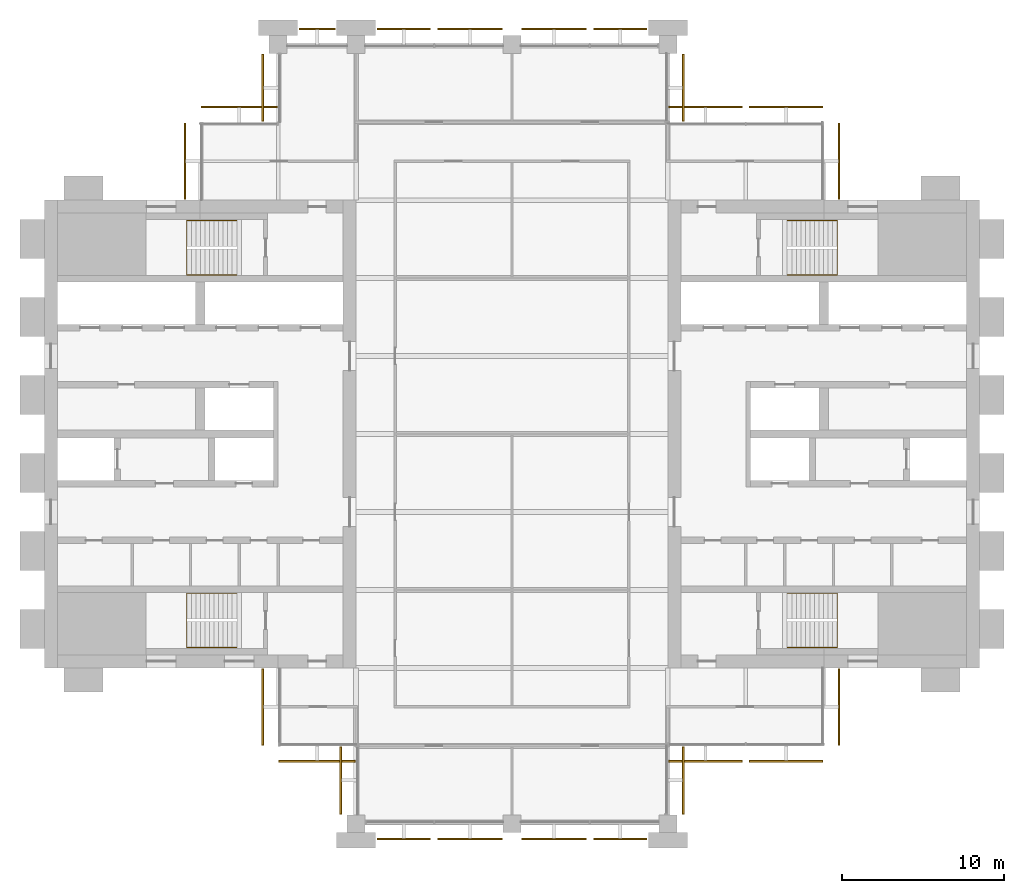
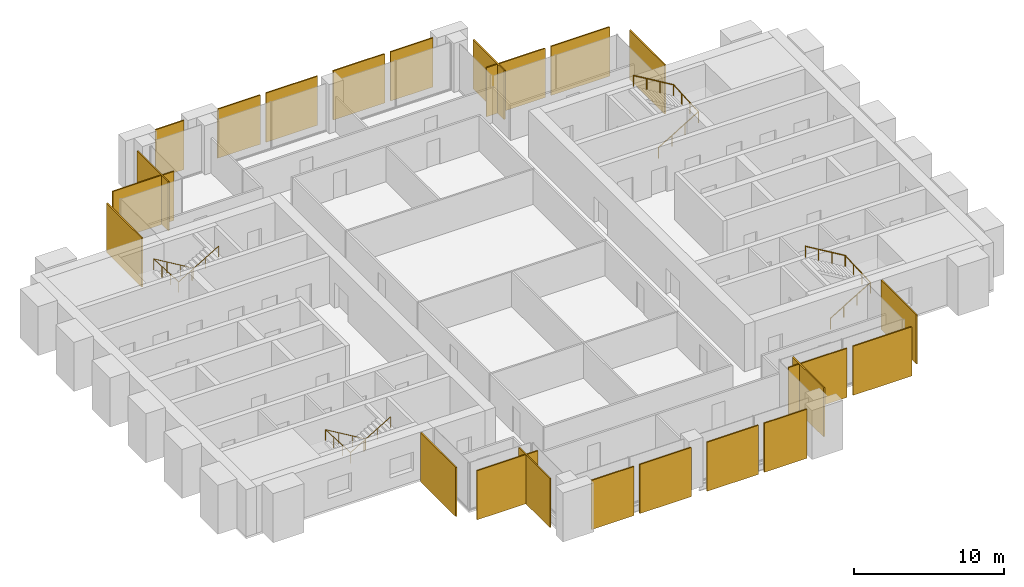
# One storey, part 13 of 13: 23 coverings, 4 railings.
"""IFC4 building model written with IfcOpenShell, lengths in metres."""

import ifcopenshell
import ifcopenshell.guid

model = None  # the IFC model being written
_history = None  # IfcOwnerHistory: only IFC2X3 demands one
_inside = {}  # id of a spatial element -> (the spatial element, [elements in it])
_under = {}  # id of a project, library or spatial element -> (it, [spatial elements below it])
_declared = {}  # id of a project -> (the project, [libraries it declares])
_typed = {}  # id of a type object -> (the type object, [elements of that type])
_made_of = {}  # id of a material, layer set ... -> (it, [elements and type objects made of it])


def new_model(schema):
    """Start an empty IFC model of exactly this schema.

    Asked for "IFC4X3", IfcOpenShell would pick the latest addendum, in which some entities
    have other attributes; the version numbers below select the first issue.
    IFC2X3 requires an IfcOwnerHistory on every rooted entity: one is made here for all.
    """
    global model, _history
    if schema == "IFC4X3":
        model = ifcopenshell.file(schema_version=(4, 3, 0, 0))
    else:
        model = ifcopenshell.file(schema=schema)
    _inside.clear()
    _under.clear()
    _declared.clear()
    _typed.clear()
    _made_of.clear()
    _history = None
    if model.schema == "IFC2X3":
        org = make("IfcOrganization", Name="unknown")
        user = make(
            "IfcPersonAndOrganization",
            ThePerson=make("IfcPerson", FamilyName="unknown"),
            TheOrganization=org,
        )
        app = make(
            "IfcApplication",
            ApplicationDeveloper=org,
            Version="unknown",
            ApplicationFullName="unknown",
            ApplicationIdentifier="unknown",
        )
        _history = make(
            "IfcOwnerHistory",
            OwningUser=user,
            OwningApplication=app,
            ChangeAction="ADDED",
            CreationDate=0,
        )
    return model


def make(cls, **values):
    """One entity of the class cls with the attributes given. An attribute that is None is left unset."""
    return model.create_entity(
        cls, **{name: value for name, value in values.items() if value is not None}
    )


def rooted(cls, **values):
    """An entity with a GlobalId (a new one), such as an element, a storey or a relation."""
    return make(cls, GlobalId=ifcopenshell.guid.new(), OwnerHistory=_history, **values)


def si_unit(unit_type, name, prefix=None):
    """IfcSIUnit, for example si_unit("LENGTHUNIT", "METRE", prefix="MILLI")."""
    return make("IfcSIUnit", UnitType=unit_type, Prefix=prefix, Name=name)


def assignment(units):
    """IfcUnitAssignment: the units of a project."""
    return None if units is None else make("IfcUnitAssignment", Units=units)


def point(xyz):
    """IfcCartesianPoint."""
    return None if xyz is None else make("IfcCartesianPoint", Coordinates=xyz)


def direction(xyz):
    """IfcDirection."""
    return None if xyz is None else make("IfcDirection", DirectionRatios=xyz)


def frame(location, z_axis=None, x_axis=None):
    """IfcAxis2Placement3D, a coordinate frame: its origin and axes. An axis left out is left unset."""
    return make(
        "IfcAxis2Placement3D",
        Location=point(location),
        Axis=direction(z_axis),
        RefDirection=direction(x_axis),
    )


def frame_2d(location, x_axis=None):
    """IfcAxis2Placement2D, a coordinate frame in the plane: its origin and x axis."""
    return make(
        "IfcAxis2Placement2D", Location=point(location), RefDirection=direction(x_axis)
    )


def origin():
    """The frame at (0, 0, 0) with its axes left unset."""
    return frame((0.0, 0.0, 0.0))


def origin_2d():
    """The frame at (0, 0) in the plane with its x axis left unset."""
    return frame_2d((0.0, 0.0))


def place(relative_to, where):
    """IfcLocalPlacement: puts the frame where relative to a parent placement (None: the world)."""
    return make(
        "IfcLocalPlacement", PlacementRelTo=relative_to, RelativePlacement=where
    )


def context(
    kind, dimensions, precision=None, world=None, true_north=None, identifier=None
):
    """IfcGeometricRepresentationContext, for example the 3D "Model" context."""
    return make(
        "IfcGeometricRepresentationContext",
        ContextIdentifier=identifier,
        ContextType=kind,
        CoordinateSpaceDimension=dimensions,
        Precision=precision,
        WorldCoordinateSystem=world,
        TrueNorth=true_north,
    )


def subcontext(parent, identifier, kind, view, scale=None):
    """IfcGeometricRepresentationSubContext, for example "Body" below "Model"."""
    return make(
        "IfcGeometricRepresentationSubContext",
        ContextIdentifier=identifier,
        ContextType=kind,
        ParentContext=parent,
        TargetScale=scale,
        TargetView=view,
    )


def project(units=None, contexts=None):
    """IfcProject with its units and contexts."""
    return rooted(
        "IfcProject",
        Name="project",
        RepresentationContexts=contexts,
        UnitsInContext=assignment(units),
    )


def spatial(cls, under=None, at=None, **own):
    """A site, building, storey or space (cls), placed at a placement, below another one or the project."""
    s = rooted(cls, ObjectPlacement=at, **own)
    if under is not None:
        _under.setdefault(under.id(), (under, []))[1].append(s)
    return s


def polyline(points):
    """IfcPolyline through the points."""
    return make("IfcPolyline", Points=[point(p) for p in points])


def profile(cls, at=None, kind="AREA", **sizes):
    """A parametric profile (cls). Its sizes go by their IFC names, for example OverallWidth=200.0."""
    return make(cls, ProfileType=kind, Position=at, **sizes)


def circle(**sizes):
    """IfcCircleProfileDef."""
    return profile("IfcCircleProfileDef", **sizes)


def outline(outer, holes=None, kind="AREA"):
    """IfcArbitraryClosedProfileDef: a profile drawn as a closed curve; with holes, ...WithVoids."""
    if holes is None:
        return make("IfcArbitraryClosedProfileDef", ProfileType=kind, OuterCurve=outer)
    return make(
        "IfcArbitraryProfileDefWithVoids",
        ProfileType=kind,
        OuterCurve=outer,
        InnerCurves=holes,
    )


def extrude(swept, where, along, depth):
    """IfcExtrudedAreaSolid: the profile swept, set in the frame where, extruded along a direction by depth."""
    return make(
        "IfcExtrudedAreaSolid",
        SweptArea=swept,
        Position=where,
        ExtrudedDirection=direction(along),
        Depth=depth,
    )


def shape(context_of_items, identifier, shape_type, items):
    """IfcShapeRepresentation: the items that make up one representation, for example the "Body"."""
    return make(
        "IfcShapeRepresentation",
        ContextOfItems=context_of_items,
        RepresentationIdentifier=identifier,
        RepresentationType=shape_type,
        Items=items,
    )


def material(Name=None, Category=None):
    """IfcMaterial."""
    return make("IfcMaterial", Name=Name, Category=Category)


def layer(
    of_material, thickness, ventilated=None, Name=None, Category=None, Priority=None
):
    """IfcMaterialLayer: one layer of a wall or slab, of a material (None: an air gap)."""
    return make(
        "IfcMaterialLayer",
        Material=of_material,
        LayerThickness=thickness,
        IsVentilated=ventilated,
        Name=Name,
        Category=Category,
        Priority=Priority,
    )


def layer_set(layers, Name=None):
    """IfcMaterialLayerSet."""
    return make("IfcMaterialLayerSet", MaterialLayers=layers, LayerSetName=Name)


def made_of(thing, what):
    """Note that an element or type object is made of a material, layer set ...; save() writes the relation."""
    if what is not None:
        _made_of.setdefault(what.id(), (what, []))[1].append(thing)
    return thing


def type_object(cls, material=None, **own):
    """A type object (cls), such as IfcWallType, which elements share."""
    return made_of(rooted(cls, **own), material)


def element(
    cls,
    number,
    at=None,
    inside=None,
    cuts=None,
    type_object=None,
    material=None,
    context=None,
    identifier="Body",
    shape_type=None,
    held_by="IfcProductDefinitionShape",
    body=None,
    shapes=None,
    **own,
):
    """One element of the class cls, such as IfcWall. Its Tag is "e" and its number.

    at: its placement. inside: the storey or other place that contains it. cuts: it is an
    opening in that element (IfcRelVoidsElement). A single representation is given by context,
    identifier, shape_type and body (its items); several are given by shapes. held_by: the class
    of the entity that holds the representations. save() writes the other relations.
    """
    e = rooted(cls, Tag="e%d" % number, ObjectPlacement=at, **own)
    if body is not None:
        shapes = [shape(context, identifier, shape_type, body)]
    if shapes is not None:
        e.Representation = make(held_by, Representations=shapes)
    if inside is not None:
        _inside.setdefault(inside.id(), (inside, []))[1].append(e)
    if cuts is not None:
        rooted(
            "IfcRelVoidsElement", RelatingBuildingElement=cuts, RelatedOpeningElement=e
        )
    if type_object is not None:
        _typed.setdefault(type_object.id(), (type_object, []))[1].append(e)
    return made_of(e, material)


def aggregate(whole, parts):
    """IfcRelAggregates: a whole, such as a stair, and the parts it consists of."""
    return rooted("IfcRelAggregates", RelatingObject=whole, RelatedObjects=parts)


def save(model, path):
    """Write the relations noted so far, then the file.

    IfcRelAggregates (storeys below a building ...), IfcRelContainedInSpatialStructure (elements
    in a storey), IfcRelDefinesByType, IfcRelAssociatesMaterial and IfcRelDeclares: one each for
    every whole, place, type object, material and project.
    """
    for whole, parts in _under.values():
        aggregate(whole, parts)
    for where, things in _inside.values():
        rooted(
            "IfcRelContainedInSpatialStructure",
            RelatedElements=things,
            RelatingStructure=where,
        )
    for kind, things in _typed.values():
        rooted("IfcRelDefinesByType", RelatedObjects=things, RelatingType=kind)
    for what, things in _made_of.values():
        rooted("IfcRelAssociatesMaterial", RelatedObjects=things, RelatingMaterial=what)
    for by, libraries in _declared.values():
        rooted("IfcRelDeclares", RelatingContext=by, RelatedDefinitions=libraries)
    model.write(path)


model = new_model("IFC4")

# Units and contexts
model_context = context("Model", 3, precision=1e-05, world=origin(), true_north=direction((0.0, 1.0)))
body_context = subcontext(model_context, "Body", "Model", "MODEL_VIEW")
ifc_project = project(units=[si_unit("LENGTHUNIT", "METRE"), si_unit("AREAUNIT", "SQUARE_METRE"), si_unit("VOLUMEUNIT", "CUBIC_METRE"), si_unit("PLANEANGLEUNIT", "RADIAN"), si_unit("MASSUNIT", "GRAM", prefix="KILO")], contexts=[model_context])

# Site, building, storey
site_placement = place(None, origin())
site = spatial("IfcSite", under=ifc_project, at=site_placement, CompositionType="ELEMENT")
building_placement = place(site_placement, origin())
building = spatial("IfcBuilding", under=site, at=building_placement, Name="Baori Bourse Tower", CompositionType="ELEMENT")
storey_placement = place(building_placement, frame((0.0, 0.0, 217.199951171875)))
storey = spatial("IfcBuildingStorey", under=building, at=storey_placement, Name="L47", CompositionType="ELEMENT", Elevation=217.199951171875)

# Railings
ifc_material_1 = material(Name="Powder-coated steel balustrade", Category="steel")
railing_type = type_object("IfcRailingType", Name="Core stair handrail", PredefinedType="HANDRAIL", material=ifc_material_1)
railing_1_placement = place(storey_placement, frame((11.85009765625, 14.199951171875, 0.166748046875)))
element("IfcRailing", 1, at=railing_1_placement, inside=storey, type_object=railing_type, Name="L47 ST1 stair handrail 1", PredefinedType="HANDRAIL", context=body_context, shape_type="SweptSolid", body=[
    extrude(circle(Radius=0.02392578125, at=origin_2d()), frame((0.0, 0.0, 0.8759765625), z_axis=(-0.859308565015, 0.0, 0.511457515432), x_axis=(0.0, -1.0, 0.0)), (0.0, 0.0, 1.0), 3.58447265625),
    extrude(circle(Radius=0.02392578125, at=origin_2d()), frame((-3.080078125, 0.0, 2.708984375), z_axis=(0.0, -0.998763387249, 0.04971615724), x_axis=(1.0, 0.0, 0.0)), (0.0, 0.0, 1.0), 3.35400390625),
    extrude(circle(Radius=0.02392578125, at=origin_2d()), frame((-3.080078125, -3.349853515625, 2.8759765625), z_axis=(0.859308565015, 0.0, 0.511457515432), x_axis=(0.0, 1.0, 0.0)), (0.0, 0.0, 1.0), 3.58447265625),
    extrude(circle(Radius=0.02099609375, at=origin_2d()), origin(), (0.0, 0.0, 1.0), 0.851806640625),
    extrude(circle(Radius=0.02099609375, at=origin_2d()), frame((-1.026611328125, 0.0, 0.611083984375)), (0.0, 0.0, 1.0), 0.851806640625),
    extrude(circle(Radius=0.02099609375, at=origin_2d()), frame((-2.053466796875, 0.0, 1.22216796875)), (0.0, 0.0, 1.0), 0.851806640625),
    extrude(circle(Radius=0.02099609375, at=origin_2d()), frame((-3.080078125, 0.0, 1.833251953125)), (0.0, 0.0, 1.0), 0.851806640625),
    extrude(circle(Radius=0.02099609375, at=origin_2d()), frame((-3.080078125, -1.11669921875, 1.888916015625)), (0.0, 0.0, 1.0), 0.851806640625),
    extrude(circle(Radius=0.02099609375, at=origin_2d()), frame((-3.080078125, -2.233154296875, 1.9443359375)), (0.0, 0.0, 1.0), 0.851806640625),
    extrude(circle(Radius=0.02099609375, at=origin_2d()), frame((-3.080078125, -3.349853515625, 2.0)), (0.0, 0.0, 1.0), 0.851806640625),
    extrude(circle(Radius=0.02099609375, at=origin_2d()), frame((-2.053466796875, -3.349853515625, 2.611083984375)), (0.0, 0.0, 1.0), 0.851806640625),
    extrude(circle(Radius=0.02099609375, at=origin_2d()), frame((-1.026611328125, -3.349853515625, 3.22216796875)), (0.0, 0.0, 1.0), 0.851806640625),
    extrude(circle(Radius=0.02099609375, at=origin_2d()), frame((0.0, -3.349853515625, 3.833251953125)), (0.0, 0.0, 1.0), 0.851806640625),
])
railing_2_placement = place(storey_placement, frame((11.85009765625, 37.14990234375, 0.166748046875)))
element("IfcRailing", 2, at=railing_2_placement, inside=storey, type_object=railing_type, Name="L47 ST2 stair handrail 1", PredefinedType="HANDRAIL", context=body_context, shape_type="SweptSolid", body=[
    extrude(circle(Radius=0.02392578125, at=origin_2d()), frame((0.0, 0.0, 0.8759765625), z_axis=(-0.859308565015, 0.0, 0.511457515432), x_axis=(0.0, -1.0, 0.0)), (0.0, 0.0, 1.0), 3.58447265625),
    extrude(circle(Radius=0.02392578125, at=origin_2d()), frame((-3.080078125, 0.0, 2.708984375), z_axis=(0.0, -0.998763387249, 0.04971615724), x_axis=(1.0, 0.0, 0.0)), (0.0, 0.0, 1.0), 3.35400390625),
    extrude(circle(Radius=0.02392578125, at=origin_2d()), frame((-3.080078125, -3.349853515625, 2.8759765625), z_axis=(0.859308565015, 0.0, 0.511457515432), x_axis=(0.0, 1.0, 0.0)), (0.0, 0.0, 1.0), 3.58447265625),
    extrude(circle(Radius=0.02099609375, at=origin_2d()), origin(), (0.0, 0.0, 1.0), 0.851806640625),
    extrude(circle(Radius=0.02099609375, at=origin_2d()), frame((-1.026611328125, 0.0, 0.611083984375)), (0.0, 0.0, 1.0), 0.851806640625),
    extrude(circle(Radius=0.02099609375, at=origin_2d()), frame((-2.053466796875, 0.0, 1.22216796875)), (0.0, 0.0, 1.0), 0.851806640625),
    extrude(circle(Radius=0.02099609375, at=origin_2d()), frame((-3.080078125, 0.0, 1.833251953125)), (0.0, 0.0, 1.0), 0.851806640625),
    extrude(circle(Radius=0.02099609375, at=origin_2d()), frame((-3.080078125, -1.11669921875, 1.888916015625)), (0.0, 0.0, 1.0), 0.851806640625),
    extrude(circle(Radius=0.02099609375, at=origin_2d()), frame((-3.080078125, -2.233154296875, 1.9443359375)), (0.0, 0.0, 1.0), 0.851806640625),
    extrude(circle(Radius=0.02099609375, at=origin_2d()), frame((-3.080078125, -3.349853515625, 2.0)), (0.0, 0.0, 1.0), 0.851806640625),
    extrude(circle(Radius=0.02099609375, at=origin_2d()), frame((-2.053466796875, -3.349853515625, 2.611083984375)), (0.0, 0.0, 1.0), 0.851806640625),
    extrude(circle(Radius=0.02099609375, at=origin_2d()), frame((-1.026611328125, -3.349853515625, 3.22216796875)), (0.0, 0.0, 1.0), 0.851806640625),
    extrude(circle(Radius=0.02099609375, at=origin_2d()), frame((0.0, -3.349853515625, 3.833251953125)), (0.0, 0.0, 1.0), 0.851806640625),
])
railing_3_placement = place(storey_placement, frame((45.75, 10.85009765625, 0.166748046875)))
element("IfcRailing", 3, at=railing_3_placement, inside=storey, type_object=railing_type, Name="L47 ST3 stair handrail 1", PredefinedType="HANDRAIL", context=body_context, shape_type="SweptSolid", body=[
    extrude(circle(Radius=0.02392578125, at=origin_2d()), frame((0.0, 0.0, 0.8759765625), z_axis=(0.859308565015, 0.0, 0.511457515432), x_axis=(0.0, 1.0, 0.0)), (0.0, 0.0, 1.0), 3.58447265625),
    extrude(circle(Radius=0.02392578125, at=origin_2d()), frame((3.080078125, 0.0, 2.708984375), z_axis=(0.0, 0.998763387249, 0.04971615724), x_axis=(-1.0, 0.0, 0.0)), (0.0, 0.0, 1.0), 3.35400390625),
    extrude(circle(Radius=0.02392578125, at=origin_2d()), frame((3.080078125, 3.349853515625, 2.8759765625), z_axis=(-0.859308565015, 0.0, 0.511457515432), x_axis=(0.0, -1.0, 0.0)), (0.0, 0.0, 1.0), 3.58447265625),
    extrude(circle(Radius=0.02099609375, at=origin_2d()), origin(), (0.0, 0.0, 1.0), 0.851806640625),
    extrude(circle(Radius=0.02099609375, at=origin_2d()), frame((1.026611328125, 0.0, 0.611083984375)), (0.0, 0.0, 1.0), 0.851806640625),
    extrude(circle(Radius=0.02099609375, at=origin_2d()), frame((2.053466796875, 0.0, 1.22216796875)), (0.0, 0.0, 1.0), 0.851806640625),
    extrude(circle(Radius=0.02099609375, at=origin_2d()), frame((3.080078125, 0.0, 1.833251953125)), (0.0, 0.0, 1.0), 0.851806640625),
    extrude(circle(Radius=0.02099609375, at=origin_2d()), frame((3.080078125, 1.11669921875, 1.888916015625)), (0.0, 0.0, 1.0), 0.851806640625),
    extrude(circle(Radius=0.02099609375, at=origin_2d()), frame((3.080078125, 2.233154296875, 1.9443359375)), (0.0, 0.0, 1.0), 0.851806640625),
    extrude(circle(Radius=0.02099609375, at=origin_2d()), frame((3.080078125, 3.349853515625, 2.0)), (0.0, 0.0, 1.0), 0.851806640625),
    extrude(circle(Radius=0.02099609375, at=origin_2d()), frame((2.053466796875, 3.349853515625, 2.611083984375)), (0.0, 0.0, 1.0), 0.851806640625),
    extrude(circle(Radius=0.02099609375, at=origin_2d()), frame((1.026611328125, 3.349853515625, 3.22216796875)), (0.0, 0.0, 1.0), 0.851806640625),
    extrude(circle(Radius=0.02099609375, at=origin_2d()), frame((0.0, 3.349853515625, 3.833251953125)), (0.0, 0.0, 1.0), 0.851806640625),
])
railing_4_placement = place(storey_placement, frame((45.75, 33.800048828125, 0.166748046875)))
element("IfcRailing", 4, at=railing_4_placement, inside=storey, type_object=railing_type, Name="L47 ST4 stair handrail 1", PredefinedType="HANDRAIL", context=body_context, shape_type="SweptSolid", body=[
    extrude(circle(Radius=0.02392578125, at=origin_2d()), frame((0.0, 0.0, 0.8759765625), z_axis=(0.859308565015, 0.0, 0.511457515432), x_axis=(0.0, 1.0, 0.0)), (0.0, 0.0, 1.0), 3.58447265625),
    extrude(circle(Radius=0.02392578125, at=origin_2d()), frame((3.080078125, 0.0, 2.708984375), z_axis=(0.0, 0.998763387249, 0.04971615724), x_axis=(-1.0, 0.0, 0.0)), (0.0, 0.0, 1.0), 3.35400390625),
    extrude(circle(Radius=0.02392578125, at=origin_2d()), frame((3.080078125, 3.349853515625, 2.8759765625), z_axis=(-0.859308565015, 0.0, 0.511457515432), x_axis=(0.0, -1.0, 0.0)), (0.0, 0.0, 1.0), 3.58447265625),
    extrude(circle(Radius=0.02099609375, at=origin_2d()), origin(), (0.0, 0.0, 1.0), 0.851806640625),
    extrude(circle(Radius=0.02099609375, at=origin_2d()), frame((1.026611328125, 0.0, 0.611083984375)), (0.0, 0.0, 1.0), 0.851806640625),
    extrude(circle(Radius=0.02099609375, at=origin_2d()), frame((2.053466796875, 0.0, 1.22216796875)), (0.0, 0.0, 1.0), 0.851806640625),
    extrude(circle(Radius=0.02099609375, at=origin_2d()), frame((3.080078125, 0.0, 1.833251953125)), (0.0, 0.0, 1.0), 0.851806640625),
    extrude(circle(Radius=0.02099609375, at=origin_2d()), frame((3.080078125, 1.11669921875, 1.888916015625)), (0.0, 0.0, 1.0), 0.851806640625),
    extrude(circle(Radius=0.02099609375, at=origin_2d()), frame((3.080078125, 2.233154296875, 1.9443359375)), (0.0, 0.0, 1.0), 0.851806640625),
    extrude(circle(Radius=0.02099609375, at=origin_2d()), frame((3.080078125, 3.349853515625, 2.0)), (0.0, 0.0, 1.0), 0.851806640625),
    extrude(circle(Radius=0.02099609375, at=origin_2d()), frame((2.053466796875, 3.349853515625, 2.611083984375)), (0.0, 0.0, 1.0), 0.851806640625),
    extrude(circle(Radius=0.02099609375, at=origin_2d()), frame((1.026611328125, 3.349853515625, 3.22216796875)), (0.0, 0.0, 1.0), 0.851806640625),
    extrude(circle(Radius=0.02099609375, at=origin_2d()), frame((0.0, 3.349853515625, 3.833251953125)), (0.0, 0.0, 1.0), 0.851806640625),
])

# Coverings
ifc_material_2 = material(Name="Pale anodised aluminium", Category="aluminium")
ifc_layer = layer(ifc_material_2, 0.10009765625)
ifc_layer_set = layer_set([ifc_layer], Name="OS3 Outer skin screen panel")
covering_type = type_object("IfcCoveringType", Name="OS3 Outer skin screen panel", PredefinedType="CLADDING", material=ifc_layer_set)
covering_1_placement = place(storey_placement, frame((0.0, 0.0, -0.159912109375)))
element("IfcCovering", 5, at=covering_1_placement, inside=storey, type_object=covering_type, Name="Outer skin screen L47 1", PredefinedType="CLADDING", context=body_context, shape_type="SweptSolid", body=[
    extrude(outline(polyline([(48.89990234375, 43.14990234375), (48.89990234375, 38.449951171875), (49.0, 38.449951171875), (49.0, 43.14990234375), (48.89990234375, 43.14990234375)])), origin(), (0.0, 0.0, 1.0), 4.0),
])
covering_2_placement = place(storey_placement, frame((0.0, 0.0, -0.159912109375)))
element("IfcCovering", 6, at=covering_2_placement, inside=storey, type_object=covering_type, Name="Outer skin screen L47 2", PredefinedType="CLADDING", context=body_context, shape_type="SweptSolid", body=[
    extrude(outline(polyline([(43.425048828125, 44.10009765625), (47.949951171875, 44.10009765625), (47.949951171875, 44.199951171875), (43.425048828125, 44.199951171875), (43.425048828125, 44.10009765625)])), origin(), (0.0, 0.0, 1.0), 4.0),
])
covering_3_placement = place(storey_placement, frame((0.0, 0.0, -0.159912109375)))
element("IfcCovering", 7, at=covering_3_placement, inside=storey, type_object=covering_type, Name="Outer skin screen L47 3", PredefinedType="CLADDING", context=body_context, shape_type="SweptSolid", body=[
    extrude(outline(polyline([(38.449951171875, 44.10009765625), (42.97509765625, 44.10009765625), (42.97509765625, 44.199951171875), (38.449951171875, 44.199951171875), (38.449951171875, 44.10009765625)])), origin(), (0.0, 0.0, 1.0), 4.0),
])
covering_4_placement = place(storey_placement, frame((0.0, 0.0, -0.159912109375)))
element("IfcCovering", 8, at=covering_4_placement, inside=storey, type_object=covering_type, Name="Outer skin screen L47 4", PredefinedType="CLADDING", context=body_context, shape_type="SweptSolid", body=[
    extrude(outline(polyline([(39.300048828125, 47.39990234375), (39.300048828125, 43.25), (39.39990234375, 43.25), (39.39990234375, 47.39990234375), (39.300048828125, 47.39990234375)])), origin(), (0.0, 0.0, 1.0), 4.0),
])
covering_5_placement = place(storey_placement, frame((0.0, 0.0, -0.159912109375)))
element("IfcCovering", 9, at=covering_5_placement, inside=storey, type_object=covering_type, Name="Outer skin screen L47 5", PredefinedType="CLADDING", context=body_context, shape_type="SweptSolid", body=[
    extrude(outline(polyline([(33.824951171875, 48.89990234375), (37.10009765625, 48.89990234375), (37.10009765625, 49.0), (33.824951171875, 49.0), (33.824951171875, 48.89990234375)])), origin(), (0.0, 0.0, 1.0), 4.0),
])
covering_6_placement = place(storey_placement, frame((0.0, 0.0, -0.159912109375)))
element("IfcCovering", 10, at=covering_6_placement, inside=storey, type_object=covering_type, Name="Outer skin screen L47 6", PredefinedType="CLADDING", context=body_context, shape_type="SweptSolid", body=[
    extrude(outline(polyline([(29.39990234375, 48.89990234375), (33.375, 48.89990234375), (33.375, 49.0), (29.39990234375, 49.0), (29.39990234375, 48.89990234375)])), origin(), (0.0, 0.0, 1.0), 4.0),
])
covering_7_placement = place(storey_placement, frame((0.0, 0.0, -0.159912109375)))
element("IfcCovering", 11, at=covering_7_placement, inside=storey, type_object=covering_type, Name="Outer skin screen L47 7", PredefinedType="CLADDING", context=body_context, shape_type="SweptSolid", body=[
    extrude(outline(polyline([(24.22509765625, 48.89990234375), (28.199951171875, 48.89990234375), (28.199951171875, 49.0), (24.22509765625, 49.0), (24.22509765625, 48.89990234375)])), origin(), (0.0, 0.0, 1.0), 4.0),
])
covering_8_placement = place(storey_placement, frame((0.0, 0.0, -0.159912109375)))
element("IfcCovering", 12, at=covering_8_placement, inside=storey, type_object=covering_type, Name="Outer skin screen L47 8", PredefinedType="CLADDING", context=body_context, shape_type="SweptSolid", body=[
    extrude(outline(polyline([(20.5, 48.89990234375), (23.77490234375, 48.89990234375), (23.77490234375, 49.0), (20.5, 49.0), (20.5, 48.89990234375)])), origin(), (0.0, 0.0, 1.0), 4.0),
])
covering_9_placement = place(storey_placement, frame((0.0, 0.0, -0.159912109375)))
element("IfcCovering", 13, at=covering_9_placement, inside=storey, type_object=covering_type, Name="Outer skin screen L47 9", PredefinedType="CLADDING", context=body_context, shape_type="SweptSolid", body=[
    extrude(outline(polyline([(15.699951171875, 48.89990234375), (17.89990234375, 48.89990234375), (17.89990234375, 49.0), (15.699951171875, 49.0), (15.699951171875, 48.89990234375)])), origin(), (0.0, 0.0, 1.0), 4.0),
])
covering_10_placement = place(storey_placement, frame((0.0, 0.0, -0.159912109375)))
element("IfcCovering", 14, at=covering_10_placement, inside=storey, type_object=covering_type, Name="Outer skin screen L47 10", PredefinedType="CLADDING", context=body_context, shape_type="SweptSolid", body=[
    extrude(outline(polyline([(13.5, 43.25), (13.5, 47.39990234375), (13.39990234375, 47.39990234375), (13.39990234375, 43.25), (13.5, 43.25)])), origin(), (0.0, 0.0, 1.0), 4.0),
])
covering_11_placement = place(storey_placement, frame((0.0, 0.0, -0.159912109375)))
element("IfcCovering", 15, at=covering_11_placement, inside=storey, type_object=covering_type, Name="Outer skin screen L47 11", PredefinedType="CLADDING", context=body_context, shape_type="SweptSolid", body=[
    extrude(outline(polyline([(9.64990234375, 44.10009765625), (14.35009765625, 44.10009765625), (14.35009765625, 44.199951171875), (9.64990234375, 44.199951171875), (9.64990234375, 44.10009765625)])), origin(), (0.0, 0.0, 1.0), 4.0),
])
covering_12_placement = place(storey_placement, frame((0.0, 0.0, -0.159912109375)))
element("IfcCovering", 16, at=covering_12_placement, inside=storey, type_object=covering_type, Name="Outer skin screen L47 12", PredefinedType="CLADDING", context=body_context, shape_type="SweptSolid", body=[
    extrude(outline(polyline([(8.699951171875, 38.449951171875), (8.699951171875, 43.14990234375), (8.60009765625, 43.14990234375), (8.60009765625, 38.449951171875), (8.699951171875, 38.449951171875)])), origin(), (0.0, 0.0, 1.0), 4.0),
])
covering_13_placement = place(storey_placement, frame((0.0, 0.0, -0.159912109375)))
element("IfcCovering", 17, at=covering_13_placement, inside=storey, type_object=covering_type, Name="Outer skin screen L47 13", PredefinedType="CLADDING", context=body_context, shape_type="SweptSolid", body=[
    extrude(outline(polyline([(13.5, 4.85009765625), (13.5, 9.550048828125), (13.39990234375, 9.550048828125), (13.39990234375, 4.85009765625), (13.5, 4.85009765625)])), origin(), (0.0, 0.0, 1.0), 4.0),
])
covering_14_placement = place(storey_placement, frame((0.0, 0.0, -0.159912109375)))
element("IfcCovering", 18, at=covering_14_placement, inside=storey, type_object=covering_type, Name="Outer skin screen L47 14", PredefinedType="CLADDING", context=body_context, shape_type="SweptSolid", body=[
    extrude(outline(polyline([(19.14990234375, 3.89990234375), (14.449951171875, 3.89990234375), (14.449951171875, 3.800048828125), (19.14990234375, 3.800048828125), (19.14990234375, 3.89990234375)])), origin(), (0.0, 0.0, 1.0), 4.0),
])
covering_15_placement = place(storey_placement, frame((0.0, 0.0, -0.159912109375)))
element("IfcCovering", 19, at=covering_15_placement, inside=storey, type_object=covering_type, Name="Outer skin screen L47 15", PredefinedType="CLADDING", context=body_context, shape_type="SweptSolid", body=[
    extrude(outline(polyline([(18.300048828125, 0.60009765625), (18.300048828125, 4.75), (18.199951171875, 4.75), (18.199951171875, 0.60009765625), (18.300048828125, 0.60009765625)])), origin(), (0.0, 0.0, 1.0), 4.0),
])
covering_16_placement = place(storey_placement, frame((0.0, 0.0, -0.159912109375)))
element("IfcCovering", 20, at=covering_16_placement, inside=storey, type_object=covering_type, Name="Outer skin screen L47 16", PredefinedType="CLADDING", context=body_context, shape_type="SweptSolid", body=[
    extrude(outline(polyline([(23.77490234375, -0.89990234375), (20.5, -0.89990234375), (20.5, -1.0), (23.77490234375, -1.0), (23.77490234375, -0.89990234375)])), origin(), (0.0, 0.0, 1.0), 4.0),
])
covering_17_placement = place(storey_placement, frame((0.0, 0.0, -0.159912109375)))
element("IfcCovering", 21, at=covering_17_placement, inside=storey, type_object=covering_type, Name="Outer skin screen L47 17", PredefinedType="CLADDING", context=body_context, shape_type="SweptSolid", body=[
    extrude(outline(polyline([(28.199951171875, -0.89990234375), (24.22509765625, -0.89990234375), (24.22509765625, -1.0), (28.199951171875, -1.0), (28.199951171875, -0.89990234375)])), origin(), (0.0, 0.0, 1.0), 4.0),
])
covering_18_placement = place(storey_placement, frame((0.0, 0.0, -0.159912109375)))
element("IfcCovering", 22, at=covering_18_placement, inside=storey, type_object=covering_type, Name="Outer skin screen L47 18", PredefinedType="CLADDING", context=body_context, shape_type="SweptSolid", body=[
    extrude(outline(polyline([(33.375, -0.89990234375), (29.39990234375, -0.89990234375), (29.39990234375, -1.0), (33.375, -1.0), (33.375, -0.89990234375)])), origin(), (0.0, 0.0, 1.0), 4.0),
])
covering_19_placement = place(storey_placement, frame((0.0, 0.0, -0.159912109375)))
element("IfcCovering", 23, at=covering_19_placement, inside=storey, type_object=covering_type, Name="Outer skin screen L47 19", PredefinedType="CLADDING", context=body_context, shape_type="SweptSolid", body=[
    extrude(outline(polyline([(37.10009765625, -0.89990234375), (33.824951171875, -0.89990234375), (33.824951171875, -1.0), (37.10009765625, -1.0), (37.10009765625, -0.89990234375)])), origin(), (0.0, 0.0, 1.0), 4.0),
])
covering_20_placement = place(storey_placement, frame((0.0, 0.0, -0.159912109375)))
element("IfcCovering", 24, at=covering_20_placement, inside=storey, type_object=covering_type, Name="Outer skin screen L47 20", PredefinedType="CLADDING", context=body_context, shape_type="SweptSolid", body=[
    extrude(outline(polyline([(39.300048828125, 4.75), (39.300048828125, 0.60009765625), (39.39990234375, 0.60009765625), (39.39990234375, 4.75), (39.300048828125, 4.75)])), origin(), (0.0, 0.0, 1.0), 4.0),
])
covering_21_placement = place(storey_placement, frame((0.0, 0.0, -0.159912109375)))
element("IfcCovering", 25, at=covering_21_placement, inside=storey, type_object=covering_type, Name="Outer skin screen L47 21", PredefinedType="CLADDING", context=body_context, shape_type="SweptSolid", body=[
    extrude(outline(polyline([(42.97509765625, 3.89990234375), (38.449951171875, 3.89990234375), (38.449951171875, 3.800048828125), (42.97509765625, 3.800048828125), (42.97509765625, 3.89990234375)])), origin(), (0.0, 0.0, 1.0), 4.0),
])
covering_22_placement = place(storey_placement, frame((0.0, 0.0, -0.159912109375)))
element("IfcCovering", 26, at=covering_22_placement, inside=storey, type_object=covering_type, Name="Outer skin screen L47 22", PredefinedType="CLADDING", context=body_context, shape_type="SweptSolid", body=[
    extrude(outline(polyline([(47.949951171875, 3.89990234375), (43.425048828125, 3.89990234375), (43.425048828125, 3.800048828125), (47.949951171875, 3.800048828125), (47.949951171875, 3.89990234375)])), origin(), (0.0, 0.0, 1.0), 4.0),
])
covering_23_placement = place(storey_placement, frame((0.0, 0.0, -0.159912109375)))
element("IfcCovering", 27, at=covering_23_placement, inside=storey, type_object=covering_type, Name="Outer skin screen L47 23", PredefinedType="CLADDING", context=body_context, shape_type="SweptSolid", body=[
    extrude(outline(polyline([(48.89990234375, 9.550048828125), (48.89990234375, 4.85009765625), (49.0, 4.85009765625), (49.0, 9.550048828125), (48.89990234375, 9.550048828125)])), origin(), (0.0, 0.0, 1.0), 4.0),
])

save(model, "model.ifc")
